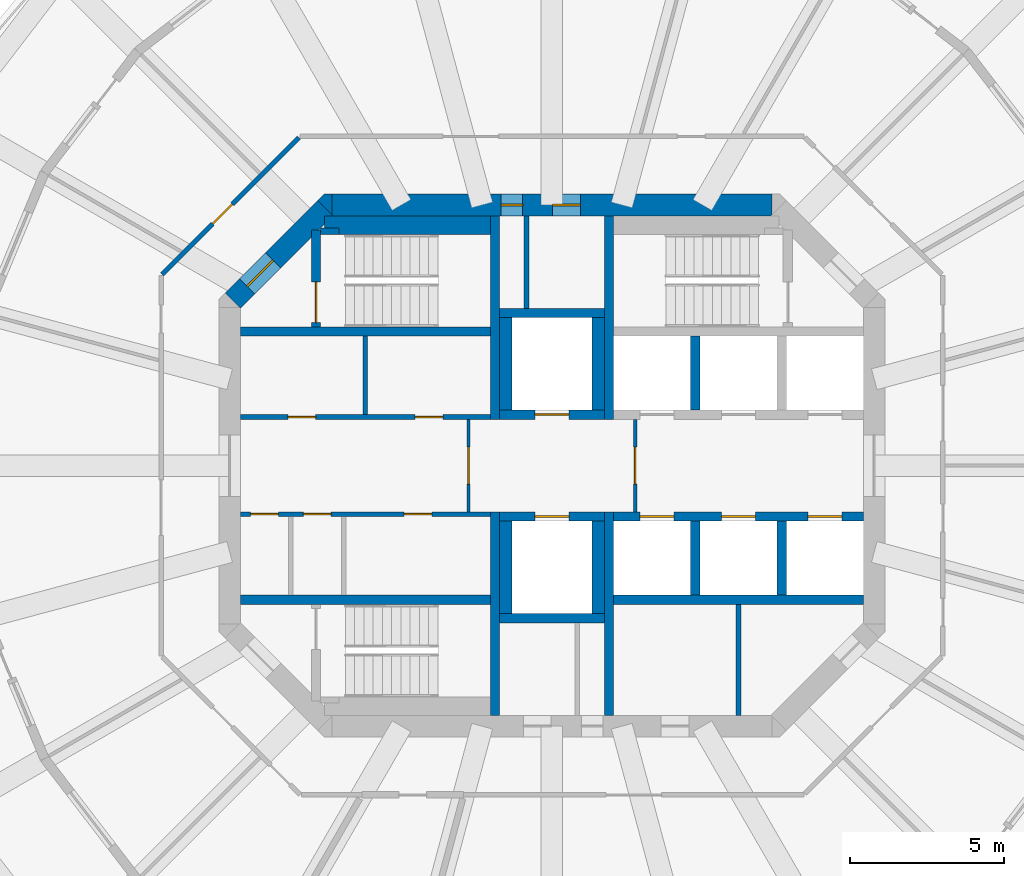
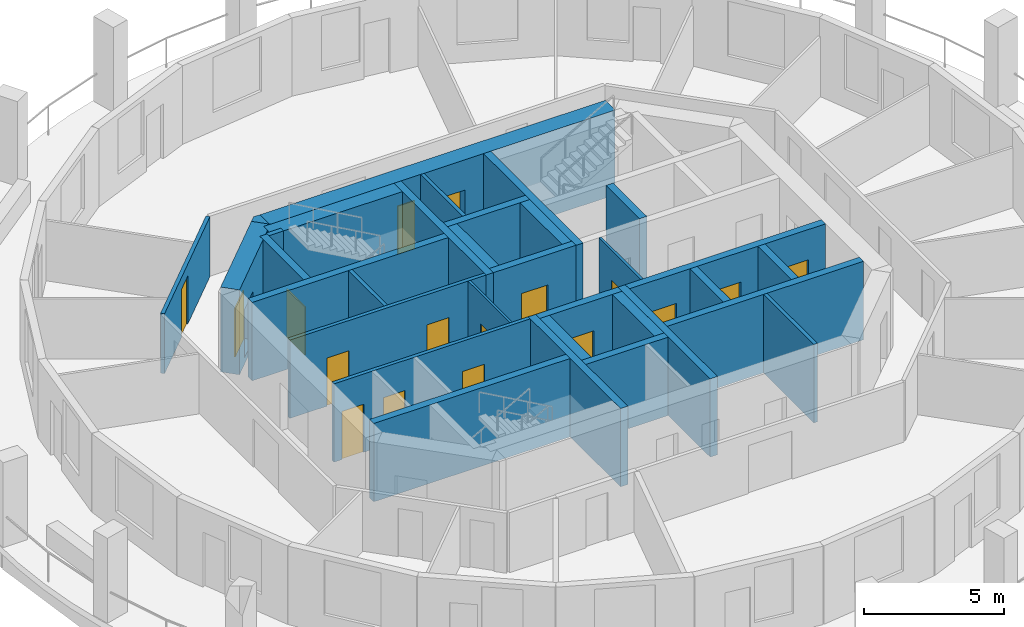
# One storey, part 4 of 9: 33 walls, 17 doors, 17 openings.
"""IFC4 building model written with IfcOpenShell, lengths in metres."""

from ifc_helpers import new_model, si_unit, direction, frame, frame_2d, origin, place, context, subcontext, project, spatial, polyline, rectangle, outline, extrude, material, layer, layer_set, type_object, element, fill, save


model = new_model("IFC4")

# Units and contexts
model_context = context("Model", 3, precision=1e-05, world=origin(), true_north=direction((0.0, 1.0)))
body_context = subcontext(model_context, "Body", "Model", "MODEL_VIEW")
ifc_project = project(units=[si_unit("LENGTHUNIT", "METRE"), si_unit("AREAUNIT", "SQUARE_METRE"), si_unit("VOLUMEUNIT", "CUBIC_METRE"), si_unit("PLANEANGLEUNIT", "RADIAN"), si_unit("MASSUNIT", "GRAM", prefix="KILO")], contexts=[model_context])

# Site, building, storey
site_placement = place(None, origin())
site = spatial("IfcSite", under=ifc_project, at=site_placement, CompositionType="ELEMENT")
building_placement = place(site_placement, origin())
building = spatial("IfcBuilding", under=site, at=building_placement, Name="Torre Triforio", CompositionType="ELEMENT")
storey_placement = place(building_placement, frame((0.0, 0.0, 161.60009765625)))
storey = spatial("IfcBuildingStorey", under=building, at=storey_placement, Name="L36", CompositionType="ELEMENT", Elevation=161.60009765625)

# Walls
ifc_material_1 = material(Name="Concrete C50", Category="concrete")
ifc_layer_1 = layer(ifc_material_1, 0.300048828125)
ifc_layer_set_1 = layer_set([ifc_layer_1], Name="Concrete C50")
wall_type_1 = type_object("IfcWallType", Name="Core wall 300 mm C50 EI 120", PredefinedType="SHEAR", material=ifc_layer_set_1)
for number, where, z_axis, x_axis, name in (
    (1, (-1.85009765625, 1.5, 0.0), (0.0, 0.0, 1.0), (0.0, 1.0, 0.0), "Core wall"),
    (2, (-1.85009765625, -8.10009765625, 0.0), (0.0, 0.0, 1.0), (0.0, 1.0, 0.0), "Core wall"),
    (3, (1.85009765625, 1.5, 0.0), (0.0, 0.0, 1.0), (0.0, 1.0, 0.0), "Core wall"),
    (4, (1.85009765625, -8.10009765625, 0.0), (0.0, 0.0, 1.0), (0.0, 1.0, 0.0), "Core wall"),
):
    element("IfcWall", number, at=place(storey_placement, frame(where, z_axis=z_axis, x_axis=x_axis)), inside=storey, type_object=wall_type_1, Name=name, PredefinedType="SHEAR", context=body_context, shape_type="SweptSolid", body=[
        extrude(rectangle(XDim=6.60009765625, YDim=0.300048828125, at=frame_2d((3.300048828125, 0.0))), origin(), (0.0, 0.0, 1.0), 3.419921875),
    ])

# Wall, openings, doors
ifc_layer_2 = layer(ifc_material_1, 0.699951171875)
ifc_layer_set_2 = layer_set([ifc_layer_2], Name="Concrete C50")
wall_type_2 = type_object("IfcWallType", Name="Core wall 700 mm C50 EI 120", PredefinedType="SHEAR", material=ifc_layer_set_2)
wall_1_placement = place(storey_placement, frame((-7.1298828125, 8.449951171875, -0.280029296875), z_axis=(0.0, 0.0, 1.0), x_axis=(1.0, 0.0, 0.0)))
wall_1 = element("IfcWall", 5, at=wall_1_placement, inside=storey, type_object=wall_type_2, Name="Core wall", PredefinedType="SHEAR", context=body_context, shape_type="SweptSolid", body=[
    extrude(rectangle(XDim=14.259765625, YDim=0.699951171875, at=frame_2d((7.1298828125, 0.0))), origin(), (0.0, 0.0, 1.0), 3.699951171875),
])
opening_1_placement = place(wall_1_placement, frame((5.47998046875, 0.0, 0.280029296875)))
opening_1 = element("IfcOpeningElement", 6, at=opening_1_placement, cuts=wall_1, Name="Opening RISER-N", PredefinedType="OPENING", context=body_context, shape_type="SweptSolid", body=[
    extrude(rectangle(XDim=0.699951171875, YDim=2.10009765625, at=frame_2d((0.35009765625, 1.050048828125))), frame((0.0, 0.35986328125, 0.0), z_axis=(0.0, -1.0, 0.0), x_axis=(1.0, 0.0, 0.0)), (0.0, 0.0, 1.0), 0.719970703125),
])
opening_2_placement = place(wall_1_placement, frame((7.155029296875, 0.0, 0.280029296875)))
opening_2 = element("IfcOpeningElement", 7, at=opening_2_placement, cuts=wall_1, Name="Opening NE-01", PredefinedType="OPENING", context=body_context, shape_type="SweptSolid", body=[
    extrude(rectangle(XDim=0.89990234375, YDim=2.10009765625, at=frame_2d((0.449951171875, 1.050048828125))), frame((0.0, 0.35986328125, 0.0), z_axis=(0.0, -1.0, 0.0), x_axis=(1.0, 0.0, 0.0)), (0.0, 0.0, 1.0), 0.719970703125),
])
ifc_material_2 = material(Name="Hollow metal fire door leaf")
door_type_1 = type_object("IfcDoorType", Name="Riser door 700 x 2100 EI 60", OperationType="NOTDEFINED", PredefinedType="DOOR", material=ifc_material_2)
door_1_placement = place(opening_1_placement, origin())
door_1 = element("IfcDoor", 8, at=door_1_placement, inside=storey, type_object=door_type_1, Name="Core door RISER-N", OperationType="SINGLE_SWING_LEFT", OverallHeight=2.10009765625, OverallWidth=0.699951171875, PredefinedType="DOOR", context=body_context, shape_type="SweptSolid", body=[
    extrude(rectangle(XDim=0.699951171875, YDim=2.10009765625, at=frame_2d((0.35009765625, 1.050048828125))), frame((0.0, 0.02490234375, 0.0), z_axis=(0.0, -1.0, 0.0), x_axis=(1.0, 0.0, 0.0)), (0.0, 0.0, 1.0), 0.050048828125),
])
fill(opening_1, door_1)
door_type_2 = type_object("IfcDoorType", Name="Room door 900 x 2100 EI 60", OperationType="NOTDEFINED", PredefinedType="DOOR", material=ifc_material_2)
door_2_placement = place(opening_2_placement, origin())
door_2 = element("IfcDoor", 9, at=door_2_placement, inside=storey, type_object=door_type_2, Name="Core door NE-01", OperationType="SINGLE_SWING_RIGHT", OverallHeight=2.10009765625, OverallWidth=0.89990234375, PredefinedType="DOOR", context=body_context, shape_type="SweptSolid", body=[
    extrude(rectangle(XDim=0.89990234375, YDim=2.10009765625, at=frame_2d((0.449951171875, 1.050048828125))), frame((0.0, 0.02490234375, 0.0), z_axis=(0.0, -1.0, 0.0), x_axis=(1.0, 0.0, 0.0)), (0.0, 0.0, 1.0), 0.050048828125),
])
fill(opening_2, door_2)

# Wall, opening, door
wall_2_placement = place(storey_placement, frame((-10.347412109375, 5.347412109375, -0.280029296875), z_axis=(0.0, 0.0, 1.0), x_axis=(0.707106781187, 0.707106781187, 0.0)))
wall_2 = element("IfcWall", 10, at=wall_2_placement, inside=storey, type_object=wall_type_2, Name="Core wall", PredefinedType="SHEAR", context=body_context, shape_type="SweptSolid", body=[
    extrude(rectangle(XDim=4.24267578125, YDim=0.699951171875, at=frame_2d((2.121337890625, 0.0))), origin(), (0.0, 0.0, 1.0), 3.699951171875),
])
opening_3_placement = place(wall_2_placement, frame((0.64990234375, 0.0, 0.280029296875)))
opening_3 = element("IfcOpeningElement", 11, at=opening_3_placement, cuts=wall_2, Name="Opening ST1-EXIT", PredefinedType="OPENING", context=body_context, shape_type="SweptSolid", body=[
    extrude(rectangle(XDim=1.199951171875, YDim=2.10009765625, at=frame_2d((0.60009765625, 1.050048828125))), frame((0.0, 0.35986328125, 0.0), z_axis=(0.0, -1.0, 0.0), x_axis=(1.0, 0.0, 0.0)), (0.0, 0.0, 1.0), 0.719970703125),
])
door_type_3 = type_object("IfcDoorType", Name="Stair lobby door 1200 x 2100 EI 60", OperationType="NOTDEFINED", PredefinedType="DOOR", material=ifc_material_2)
door_3_placement = place(opening_3_placement, origin())
door_3 = element("IfcDoor", 12, at=door_3_placement, inside=storey, type_object=door_type_3, Name="Core door ST1-EXIT", OperationType="SINGLE_SWING_RIGHT", OverallHeight=2.10009765625, OverallWidth=1.199951171875, PredefinedType="DOOR", context=body_context, shape_type="SweptSolid", body=[
    extrude(rectangle(XDim=1.199951171875, YDim=2.10009765625, at=frame_2d((0.60009765625, 1.050048828125))), frame((0.0, 0.02490234375, 0.0), z_axis=(0.0, -1.0, 0.0), x_axis=(1.0, 0.0, 0.0)), (0.0, 0.0, 1.0), 0.050048828125),
])
fill(opening_3, door_3)

# Wall
wall_3_placement = place(storey_placement, frame((0.0, 0.0, -0.280029296875)))
element("IfcWall", 13, at=wall_3_placement, inside=storey, type_object=wall_type_2, Name="Core wall", PredefinedType="SHEAR", context=body_context, shape_type="SweptSolid", body=[
    extrude(outline(polyline([(-7.389892578125, 8.800048828125), (-7.1298828125, 8.800048828125), (-7.1298828125, 8.800048828125), (-7.1298828125, 8.1298828125), (-7.594970703125, 8.594970703125), (-7.594970703125, 8.594970703125), (-7.594970703125, 8.594970703125), (-7.389892578125, 8.800048828125)])), origin(), (0.0, 0.0, 1.0), 3.699951171875),
])

# Wall, opening, door
ifc_material_3 = material(Name="Plasterboard on metal studs")
ifc_layer_3 = layer(ifc_material_3, 0.14990234375)
ifc_layer_set_3 = layer_set([ifc_layer_3], Name="Plasterboard on metal studs")
wall_type_3 = type_object("IfcWallType", Name="Corridor and tenancy wall 150 mm EI 60", PredefinedType="PARTITIONING", material=ifc_layer_set_3)
wall_4_placement = place(storey_placement, frame((-12.637939453125, 6.20361328125, 0.0), z_axis=(0.0, 0.0, 1.0), x_axis=(0.707106781187, 0.707106781187, 0.0)))
wall_4 = element("IfcWall", 14, at=wall_4_placement, inside=storey, type_object=wall_type_3, Name="Partition 7", PredefinedType="PARTITIONING", context=body_context, shape_type="SweptSolid", body=[
    extrude(rectangle(XDim=6.27099609375, YDim=0.14990234375, at=frame_2d((3.135498046875, 0.0))), origin(), (0.0, 0.0, 1.0), 2.619873046875),
])
opening_4_placement = place(wall_4_placement, frame((2.313720703125, 0.0, 0.0)))
opening_4 = element("IfcOpeningElement", 15, at=opening_4_placement, cuts=wall_4, Name="Opening O1-07", PredefinedType="OPENING", context=body_context, shape_type="SweptSolid", body=[
    extrude(rectangle(XDim=0.89990234375, YDim=2.10009765625, at=frame_2d((0.449951171875, 1.050048828125))), frame((0.0, 0.0849609375, 0.0), z_axis=(0.0, -1.0, 0.0), x_axis=(1.0, 0.0, 0.0)), (0.0, 0.0, 1.0), 0.169921875),
])
ifc_material_4 = material(Name="Timber", Category="wood")
door_type_4 = type_object("IfcDoorType", Name="Door 900 x 2100 single leaf EI 30", OperationType="NOTDEFINED", PredefinedType="DOOR", material=ifc_material_4)
door_4_placement = place(opening_4_placement, origin())
door_4 = element("IfcDoor", 16, at=door_4_placement, inside=storey, type_object=door_type_4, Name="Door O1-07", OperationType="SINGLE_SWING_LEFT", OverallHeight=2.10009765625, OverallWidth=0.89990234375, PredefinedType="DOOR", context=body_context, shape_type="SweptSolid", body=[
    extrude(rectangle(XDim=0.89990234375, YDim=2.10009765625, at=frame_2d((0.449951171875, 1.050048828125))), frame((0.0, 0.02490234375, 0.0), z_axis=(0.0, -1.0, 0.0), x_axis=(1.0, 0.0, 0.0)), (0.0, 0.0, 1.0), 0.050048828125),
])
fill(opening_4, door_4)

ifc_material_5 = material(Name="Block and board partition")
ifc_layer_4 = layer(ifc_material_5, 0.10009765625)
ifc_layer_set_4 = layer_set([ifc_layer_4], Name="Block and board partition")
wall_type_4 = type_object("IfcWallType", Name="Partition 100 mm EI 120", PredefinedType="PARTITIONING", material=ifc_layer_set_4)
wall_5_placement = place(storey_placement, frame((-2.699951171875, -1.5, 0.0), z_axis=(0.0, 0.0, 1.0), x_axis=(0.0, 1.0, 0.0)))
wall_5 = element("IfcWall", 17, at=wall_5_placement, inside=storey, type_object=wall_type_4, Name="Partition", PredefinedType="PARTITIONING", context=body_context, shape_type="SweptSolid", body=[
    extrude(rectangle(XDim=3.0, YDim=0.10009765625, at=frame_2d((1.5, 0.0))), origin(), (0.0, 0.0, 1.0), 3.419921875),
])
opening_5_placement = place(wall_5_placement, frame((0.89990234375, 0.0, 0.0)))
opening_5 = element("IfcOpeningElement", 18, at=opening_5_placement, cuts=wall_5, Name="Opening FF-W", PredefinedType="OPENING", context=body_context, shape_type="SweptSolid", body=[
    extrude(rectangle(XDim=1.199951171875, YDim=2.10009765625, at=frame_2d((0.60009765625, 1.050048828125))), frame((0.0, 0.06005859375, 0.0), z_axis=(0.0, -1.0, 0.0), x_axis=(1.0, 0.0, 0.0)), (0.0, 0.0, 1.0), 0.1201171875),
])
door_type_5 = type_object("IfcDoorType", Name="Fire-fighting lobby door 1200 x 2100 EI 60", OperationType="NOTDEFINED", PredefinedType="DOOR", material=ifc_material_2)
door_5_placement = place(opening_5_placement, origin())
door_5 = element("IfcDoor", 19, at=door_5_placement, inside=storey, type_object=door_type_5, Name="Core door FF-W", OperationType="SINGLE_SWING_LEFT", OverallHeight=2.10009765625, OverallWidth=1.199951171875, PredefinedType="DOOR", context=body_context, shape_type="SweptSolid", body=[
    extrude(rectangle(XDim=1.199951171875, YDim=2.10009765625, at=frame_2d((0.60009765625, 1.050048828125))), frame((0.0, 0.02490234375, 0.0), z_axis=(0.0, -1.0, 0.0), x_axis=(1.0, 0.0, 0.0)), (0.0, 0.0, 1.0), 0.050048828125),
])
fill(opening_5, door_5)

wall_6_placement = place(storey_placement, frame((2.699951171875, -1.5, 0.0), z_axis=(0.0, 0.0, 1.0), x_axis=(0.0, 1.0, 0.0)))
wall_6 = element("IfcWall", 20, at=wall_6_placement, inside=storey, type_object=wall_type_4, Name="Partition", PredefinedType="PARTITIONING", context=body_context, shape_type="SweptSolid", body=[
    extrude(rectangle(XDim=3.0, YDim=0.10009765625, at=frame_2d((1.5, 0.0))), origin(), (0.0, 0.0, 1.0), 3.419921875),
])
opening_6_placement = place(wall_6_placement, frame((0.89990234375, 0.0, 0.0)))
opening_6 = element("IfcOpeningElement", 21, at=opening_6_placement, cuts=wall_6, Name="Opening FF-E", PredefinedType="OPENING", context=body_context, shape_type="SweptSolid", body=[
    extrude(rectangle(XDim=1.199951171875, YDim=2.10009765625, at=frame_2d((0.60009765625, 1.050048828125))), frame((0.0, 0.06005859375, 0.0), z_axis=(0.0, -1.0, 0.0), x_axis=(1.0, 0.0, 0.0)), (0.0, 0.0, 1.0), 0.1201171875),
])
door_6_placement = place(opening_6_placement, origin())
door_6 = element("IfcDoor", 22, at=door_6_placement, inside=storey, type_object=door_type_5, Name="Core door FF-E", OperationType="SINGLE_SWING_LEFT", OverallHeight=2.10009765625, OverallWidth=1.199951171875, PredefinedType="DOOR", context=body_context, shape_type="SweptSolid", body=[
    extrude(rectangle(XDim=1.199951171875, YDim=2.10009765625, at=frame_2d((0.60009765625, 1.050048828125))), frame((0.0, 0.02490234375, 0.0), z_axis=(0.0, -1.0, 0.0), x_axis=(1.0, 0.0, 0.0)), (0.0, 0.0, 1.0), 0.050048828125),
])
fill(opening_6, door_6)

# Walls
ifc_layer_5 = layer(ifc_material_5, 0.14990234375)
ifc_layer_set_5 = layer_set([ifc_layer_5], Name="Block and board partition")
wall_type_5 = type_object("IfcWallType", Name="Partition 150 mm", PredefinedType="PARTITIONING", material=ifc_layer_set_5)
wall_7_placement = place(storey_placement, frame((6.050048828125, -8.10009765625, 0.0), z_axis=(0.0, 0.0, 1.0), x_axis=(0.0, 1.0, 0.0)))
element("IfcWall", 23, at=wall_7_placement, inside=storey, type_object=wall_type_5, Name="Partition", PredefinedType="PARTITIONING", context=body_context, shape_type="SweptSolid", body=[
    extrude(rectangle(XDim=3.60009765625, YDim=0.14990234375, at=frame_2d((1.800048828125, 0.0))), origin(), (0.0, 0.0, 1.0), 3.419921875),
])
wall_8_placement = place(storey_placement, frame((-6.050048828125, 1.64990234375, 0.0), z_axis=(0.0, 0.0, 1.0), x_axis=(0.0, 1.0, 0.0)))
element("IfcWall", 24, at=wall_8_placement, inside=storey, type_object=wall_type_5, Name="Partition", PredefinedType="PARTITIONING", context=body_context, shape_type="SweptSolid", body=[
    extrude(rectangle(XDim=2.550048828125, YDim=0.14990234375, at=frame_2d((1.27490234375, 0.0))), origin(), (0.0, 0.0, 1.0), 3.419921875),
])
ifc_layer_6 = layer(ifc_material_5, 0.14990234375)
ifc_layer_set_6 = layer_set([ifc_layer_6], Name="Block and board partition")
wall_type_6 = type_object("IfcWallType", Name="Partition 150 mm EI 120", PredefinedType="PARTITIONING", material=ifc_layer_set_6)
wall_9_placement = place(storey_placement, frame((-0.824951171875, 5.10009765625, 0.0), z_axis=(0.0, 0.0, 1.0), x_axis=(0.0, 1.0, 0.0)))
element("IfcWall", 25, at=wall_9_placement, inside=storey, type_object=wall_type_6, Name="Partition", PredefinedType="PARTITIONING", context=body_context, shape_type="SweptSolid", body=[
    extrude(rectangle(XDim=3.0, YDim=0.14990234375, at=frame_2d((1.5, 0.0))), origin(), (0.0, 0.0, 1.0), 3.419921875),
])

# Wall, openings, doors
wall_10_placement = place(storey_placement, frame((-10.10009765625, 1.574951171875, 0.0), z_axis=(0.0, 0.0, 1.0), x_axis=(1.0, 0.0, 0.0)))
wall_10 = element("IfcWall", 26, at=wall_10_placement, inside=storey, type_object=wall_type_6, Name="Partition", PredefinedType="PARTITIONING", context=body_context, shape_type="SweptSolid", body=[
    extrude(rectangle(XDim=8.10009765625, YDim=0.14990234375, at=frame_2d((4.050048828125, 0.0))), origin(), (0.0, 0.0, 1.0), 3.419921875),
])
opening_7_placement = place(wall_10_placement, frame((1.53759765625, 0.0, 0.0)))
opening_7 = element("IfcOpeningElement", 27, at=opening_7_placement, cuts=wall_10, Name="Opening FN-01", PredefinedType="OPENING", context=body_context, shape_type="SweptSolid", body=[
    extrude(rectangle(XDim=0.89990234375, YDim=2.10009765625, at=frame_2d((0.449951171875, 1.050048828125))), frame((0.0, 0.0849609375, 0.0), z_axis=(0.0, -1.0, 0.0), x_axis=(1.0, 0.0, 0.0)), (0.0, 0.0, 1.0), 0.169921875),
])
opening_8_placement = place(wall_10_placement, frame((5.66259765625, 0.0, 0.0)))
opening_8 = element("IfcOpeningElement", 28, at=opening_8_placement, cuts=wall_10, Name="Opening FN-02", PredefinedType="OPENING", context=body_context, shape_type="SweptSolid", body=[
    extrude(rectangle(XDim=0.89990234375, YDim=2.10009765625, at=frame_2d((0.449951171875, 1.050048828125))), frame((0.0, 0.0849609375, 0.0), z_axis=(0.0, -1.0, 0.0), x_axis=(1.0, 0.0, 0.0)), (0.0, 0.0, 1.0), 0.169921875),
])
door_7_placement = place(opening_7_placement, origin())
door_7 = element("IfcDoor", 29, at=door_7_placement, inside=storey, type_object=door_type_2, Name="Core door FN-01", OperationType="SINGLE_SWING_RIGHT", OverallHeight=2.10009765625, OverallWidth=0.89990234375, PredefinedType="DOOR", context=body_context, shape_type="SweptSolid", body=[
    extrude(rectangle(XDim=0.89990234375, YDim=2.10009765625, at=frame_2d((0.449951171875, 1.050048828125))), frame((0.0, 0.02490234375, 0.0), z_axis=(0.0, -1.0, 0.0), x_axis=(1.0, 0.0, 0.0)), (0.0, 0.0, 1.0), 0.050048828125),
])
fill(opening_7, door_7)
door_8_placement = place(opening_8_placement, origin())
door_8 = element("IfcDoor", 30, at=door_8_placement, inside=storey, type_object=door_type_2, Name="Core door FN-02", OperationType="SINGLE_SWING_RIGHT", OverallHeight=2.10009765625, OverallWidth=0.89990234375, PredefinedType="DOOR", context=body_context, shape_type="SweptSolid", body=[
    extrude(rectangle(XDim=0.89990234375, YDim=2.10009765625, at=frame_2d((0.449951171875, 1.050048828125))), frame((0.0, 0.02490234375, 0.0), z_axis=(0.0, -1.0, 0.0), x_axis=(1.0, 0.0, 0.0)), (0.0, 0.0, 1.0), 0.050048828125),
])
fill(opening_8, door_8)

wall_11_placement = place(storey_placement, frame((-10.10009765625, -1.574951171875, 0.0), z_axis=(0.0, 0.0, 1.0), x_axis=(1.0, 0.0, 0.0)))
wall_11 = element("IfcWall", 31, at=wall_11_placement, inside=storey, type_object=wall_type_6, Name="Partition", PredefinedType="PARTITIONING", context=body_context, shape_type="SweptSolid", body=[
    extrude(rectangle(XDim=8.10009765625, YDim=0.14990234375, at=frame_2d((4.050048828125, 0.0))), origin(), (0.0, 0.0, 1.0), 3.419921875),
])
opening_9_placement = place(wall_11_placement, frame((0.330078125, 0.0, 0.0)))
opening_9 = element("IfcOpeningElement", 32, at=opening_9_placement, cuts=wall_11, Name="Opening FS-01", PredefinedType="OPENING", context=body_context, shape_type="SweptSolid", body=[
    extrude(rectangle(XDim=0.89990234375, YDim=2.10009765625, at=frame_2d((0.449951171875, 1.050048828125))), frame((0.0, 0.0849609375, 0.0), z_axis=(0.0, -1.0, 0.0), x_axis=(1.0, 0.0, 0.0)), (0.0, 0.0, 1.0), 0.169921875),
])
opening_10_placement = place(wall_11_placement, frame((2.0400390625, 0.0, 0.0)))
opening_10 = element("IfcOpeningElement", 33, at=opening_10_placement, cuts=wall_11, Name="Opening FS-02", PredefinedType="OPENING", context=body_context, shape_type="SweptSolid", body=[
    extrude(rectangle(XDim=0.89990234375, YDim=2.10009765625, at=frame_2d((0.449951171875, 1.050048828125))), frame((0.0, 0.0849609375, 0.0), z_axis=(0.0, -1.0, 0.0), x_axis=(1.0, 0.0, 0.0)), (0.0, 0.0, 1.0), 0.169921875),
])
opening_11_placement = place(wall_11_placement, frame((5.31005859375, 0.0, 0.0)))
opening_11 = element("IfcOpeningElement", 34, at=opening_11_placement, cuts=wall_11, Name="Opening FS-03", PredefinedType="OPENING", context=body_context, shape_type="SweptSolid", body=[
    extrude(rectangle(XDim=0.89990234375, YDim=2.10009765625, at=frame_2d((0.449951171875, 1.050048828125))), frame((0.0, 0.0849609375, 0.0), z_axis=(0.0, -1.0, 0.0), x_axis=(1.0, 0.0, 0.0)), (0.0, 0.0, 1.0), 0.169921875),
])
door_9_placement = place(opening_9_placement, origin())
door_9 = element("IfcDoor", 35, at=door_9_placement, inside=storey, type_object=door_type_2, Name="Core door FS-01", OperationType="SINGLE_SWING_LEFT", OverallHeight=2.10009765625, OverallWidth=0.89990234375, PredefinedType="DOOR", context=body_context, shape_type="SweptSolid", body=[
    extrude(rectangle(XDim=0.89990234375, YDim=2.10009765625, at=frame_2d((0.449951171875, 1.050048828125))), frame((0.0, 0.02490234375, 0.0), z_axis=(0.0, -1.0, 0.0), x_axis=(1.0, 0.0, 0.0)), (0.0, 0.0, 1.0), 0.050048828125),
])
fill(opening_9, door_9)
door_10_placement = place(opening_10_placement, origin())
door_10 = element("IfcDoor", 36, at=door_10_placement, inside=storey, type_object=door_type_2, Name="Core door FS-02", OperationType="SINGLE_SWING_LEFT", OverallHeight=2.10009765625, OverallWidth=0.89990234375, PredefinedType="DOOR", context=body_context, shape_type="SweptSolid", body=[
    extrude(rectangle(XDim=0.89990234375, YDim=2.10009765625, at=frame_2d((0.449951171875, 1.050048828125))), frame((0.0, 0.02490234375, 0.0), z_axis=(0.0, -1.0, 0.0), x_axis=(1.0, 0.0, 0.0)), (0.0, 0.0, 1.0), 0.050048828125),
])
fill(opening_10, door_10)
door_11_placement = place(opening_11_placement, origin())
door_11 = element("IfcDoor", 37, at=door_11_placement, inside=storey, type_object=door_type_2, Name="Core door FS-03", OperationType="SINGLE_SWING_LEFT", OverallHeight=2.10009765625, OverallWidth=0.89990234375, PredefinedType="DOOR", context=body_context, shape_type="SweptSolid", body=[
    extrude(rectangle(XDim=0.89990234375, YDim=2.10009765625, at=frame_2d((0.449951171875, 1.050048828125))), frame((0.0, 0.02490234375, 0.0), z_axis=(0.0, -1.0, 0.0), x_axis=(1.0, 0.0, 0.0)), (0.0, 0.0, 1.0), 0.050048828125),
])
fill(opening_11, door_11)

# Walls
ifc_layer_7 = layer(ifc_material_1, 0.300048828125)
ifc_layer_set_7 = layer_set([ifc_layer_7], Name="Concrete C50")
wall_type_7 = type_object("IfcWallType", Name="Shaft wall 300 mm C50 EI 120", PredefinedType="SOLIDWALL", material=ifc_layer_set_7)
for number, where, z_axis, x_axis, name in (
    (38, (-10.10009765625, 4.35009765625, 0.0), (0.0, 0.0, 1.0), (1.0, 0.0, 0.0), "Shaft wall"),
    (39, (-10.10009765625, -4.35009765625, 0.0), (0.0, 0.0, 1.0), (1.0, 0.0, 0.0), "Shaft wall"),
    (40, (2.0, -4.35009765625, 0.0), (0.0, 0.0, 1.0), (1.0, 0.0, 0.0), "Shaft wall"),
):
    element("IfcWall", number, at=place(storey_placement, frame(where, z_axis=z_axis, x_axis=x_axis)), inside=storey, type_object=wall_type_7, Name=name, PredefinedType="SOLIDWALL", context=body_context, shape_type="SweptSolid", body=[
        extrude(rectangle(XDim=8.10009765625, YDim=0.300048828125, at=frame_2d((4.050048828125, 0.0))), origin(), (0.0, 0.0, 1.0), 3.419921875),
    ])

# Wall, openings, doors
wall_12_placement = place(storey_placement, frame((2.0, -1.64990234375, 0.0), z_axis=(0.0, 0.0, 1.0), x_axis=(1.0, 0.0, 0.0)))
wall_12 = element("IfcWall", 41, at=wall_12_placement, inside=storey, type_object=wall_type_7, Name="Shaft wall", PredefinedType="SOLIDWALL", context=body_context, shape_type="SweptSolid", body=[
    extrude(rectangle(XDim=8.10009765625, YDim=0.300048828125, at=frame_2d((4.050048828125, 0.0))), origin(), (0.0, 0.0, 1.0), 3.419921875),
])
opening_12_placement = place(wall_12_placement, frame((0.85009765625, 0.0, 0.0)))
opening_12 = element("IfcOpeningElement", 42, at=opening_12_placement, cuts=wall_12, Name="Opening LD", PredefinedType="OPENING", context=body_context, shape_type="SweptSolid", body=[
    extrude(rectangle(XDim=1.10009765625, YDim=2.10009765625, at=frame_2d((0.550048828125, 1.050048828125))), frame((0.0, 0.159912109375, 0.0), z_axis=(0.0, -1.0, 0.0), x_axis=(1.0, 0.0, 0.0)), (0.0, 0.0, 1.0), 0.320068359375),
])
opening_13_placement = place(wall_12_placement, frame((3.5, 0.0, 0.0)))
opening_13 = element("IfcOpeningElement", 43, at=opening_13_placement, cuts=wall_12, Name="Opening LD", PredefinedType="OPENING", context=body_context, shape_type="SweptSolid", body=[
    extrude(rectangle(XDim=1.10009765625, YDim=2.10009765625, at=frame_2d((0.550048828125, 1.050048828125))), frame((0.0, 0.159912109375, 0.0), z_axis=(0.0, -1.0, 0.0), x_axis=(1.0, 0.0, 0.0)), (0.0, 0.0, 1.0), 0.320068359375),
])
opening_14_placement = place(wall_12_placement, frame((6.300048828125, 0.0, 0.0)))
opening_14 = element("IfcOpeningElement", 44, at=opening_14_placement, cuts=wall_12, Name="Opening LD", PredefinedType="OPENING", context=body_context, shape_type="SweptSolid", body=[
    extrude(rectangle(XDim=1.10009765625, YDim=2.10009765625, at=frame_2d((0.550048828125, 1.050048828125))), frame((0.0, 0.159912109375, 0.0), z_axis=(0.0, -1.0, 0.0), x_axis=(1.0, 0.0, 0.0)), (0.0, 0.0, 1.0), 0.320068359375),
])
door_type_6 = type_object("IfcDoorType", Name="Landing door 1100 x 2100 EI 60", OperationType="DOUBLE_DOOR_SLIDING", PredefinedType="DOOR", material=ifc_material_2)
door_12_placement = place(opening_12_placement, origin())
door_12 = element("IfcDoor", 45, at=door_12_placement, inside=storey, type_object=door_type_6, Name="Landing door HR4", OperationType="DOUBLE_DOOR_SLIDING", OverallHeight=2.10009765625, OverallWidth=1.10009765625, PredefinedType="DOOR", context=body_context, shape_type="SweptSolid", body=[
    extrude(rectangle(XDim=1.10009765625, YDim=2.10009765625, at=frame_2d((0.550048828125, 1.050048828125))), frame((0.0, 0.02490234375, 0.0), z_axis=(0.0, -1.0, 0.0), x_axis=(1.0, 0.0, 0.0)), (0.0, 0.0, 1.0), 0.050048828125),
])
fill(opening_12, door_12)
door_13_placement = place(opening_13_placement, origin())
door_13 = element("IfcDoor", 46, at=door_13_placement, inside=storey, type_object=door_type_6, Name="Landing door HR5", OperationType="DOUBLE_DOOR_SLIDING", OverallHeight=2.10009765625, OverallWidth=1.10009765625, PredefinedType="DOOR", context=body_context, shape_type="SweptSolid", body=[
    extrude(rectangle(XDim=1.10009765625, YDim=2.10009765625, at=frame_2d((0.550048828125, 1.050048828125))), frame((0.0, 0.02490234375, 0.0), z_axis=(0.0, -1.0, 0.0), x_axis=(1.0, 0.0, 0.0)), (0.0, 0.0, 1.0), 0.050048828125),
])
fill(opening_13, door_13)
door_14_placement = place(opening_14_placement, origin())
door_14 = element("IfcDoor", 47, at=door_14_placement, inside=storey, type_object=door_type_6, Name="Landing door HR6", OperationType="DOUBLE_DOOR_SLIDING", OverallHeight=2.10009765625, OverallWidth=1.10009765625, PredefinedType="DOOR", context=body_context, shape_type="SweptSolid", body=[
    extrude(rectangle(XDim=1.10009765625, YDim=2.10009765625, at=frame_2d((0.550048828125, 1.050048828125))), frame((0.0, 0.02490234375, 0.0), z_axis=(0.0, -1.0, 0.0), x_axis=(1.0, 0.0, 0.0)), (0.0, 0.0, 1.0), 0.050048828125),
])
fill(opening_14, door_14)

# Walls
for number, where, z_axis, x_axis, name in (
    (48, (4.64990234375, 1.800048828125, 0.0), (0.0, 0.0, 1.0), (0.0, 1.0, 0.0), "Shaft wall"),
    (49, (4.64990234375, -4.199951171875, 0.0), (0.0, 0.0, 1.0), (0.0, 1.0, 0.0), "Shaft wall"),
    (50, (7.449951171875, -4.199951171875, 0.0), (0.0, 0.0, 1.0), (0.0, 1.0, 0.0), "Shaft wall"),
):
    element("IfcWall", number, at=place(storey_placement, frame(where, z_axis=z_axis, x_axis=x_axis)), inside=storey, type_object=wall_type_7, Name=name, PredefinedType="SOLIDWALL", context=body_context, shape_type="SweptSolid", body=[
        extrude(rectangle(XDim=2.39990234375, YDim=0.300048828125, at=frame_2d((1.199951171875, 0.0))), origin(), (0.0, 0.0, 1.0), 3.419921875),
    ])

# Wall, opening, door
wall_13_placement = place(storey_placement, frame((-1.699951171875, 1.64990234375, 0.0), z_axis=(0.0, 0.0, 1.0), x_axis=(1.0, 0.0, 0.0)))
wall_13 = element("IfcWall", 51, at=wall_13_placement, inside=storey, type_object=wall_type_7, Name="Shaft wall", PredefinedType="SOLIDWALL", context=body_context, shape_type="SweptSolid", body=[
    extrude(rectangle(XDim=3.39990234375, YDim=0.300048828125, at=frame_2d((1.699951171875, 0.0))), origin(), (0.0, 0.0, 1.0), 3.419921875),
])
opening_15_placement = place(wall_13_placement, frame((1.14990234375, 0.0, 0.0)))
opening_15 = element("IfcOpeningElement", 52, at=opening_15_placement, cuts=wall_13, Name="Opening LD", PredefinedType="OPENING", context=body_context, shape_type="SweptSolid", body=[
    extrude(rectangle(XDim=1.10009765625, YDim=2.10009765625, at=frame_2d((0.550048828125, 1.050048828125))), frame((0.0, 0.159912109375, 0.0), z_axis=(0.0, -1.0, 0.0), x_axis=(1.0, 0.0, 0.0)), (0.0, 0.0, 1.0), 0.320068359375),
])
door_15_placement = place(opening_15_placement, origin())
door_15 = element("IfcDoor", 53, at=door_15_placement, inside=storey, type_object=door_type_6, Name="Landing door FFL1", OperationType="DOUBLE_DOOR_SLIDING", OverallHeight=2.10009765625, OverallWidth=1.10009765625, PredefinedType="DOOR", context=body_context, shape_type="SweptSolid", body=[
    extrude(rectangle(XDim=1.10009765625, YDim=2.10009765625, at=frame_2d((0.550048828125, 1.050048828125))), frame((0.0, 0.02490234375, 0.0), z_axis=(0.0, -1.0, 0.0), x_axis=(1.0, 0.0, 0.0)), (0.0, 0.0, 1.0), 0.050048828125),
])
fill(opening_15, door_15)

wall_14_placement = place(storey_placement, frame((-1.699951171875, -1.64990234375, 0.0), z_axis=(0.0, 0.0, 1.0), x_axis=(1.0, 0.0, 0.0)))
wall_14 = element("IfcWall", 54, at=wall_14_placement, inside=storey, type_object=wall_type_7, Name="Shaft wall", PredefinedType="SOLIDWALL", context=body_context, shape_type="SweptSolid", body=[
    extrude(rectangle(XDim=3.39990234375, YDim=0.300048828125, at=frame_2d((1.699951171875, 0.0))), origin(), (0.0, 0.0, 1.0), 3.419921875),
])
opening_16_placement = place(wall_14_placement, frame((1.14990234375, 0.0, 0.0)))
opening_16 = element("IfcOpeningElement", 55, at=opening_16_placement, cuts=wall_14, Name="Opening LD", PredefinedType="OPENING", context=body_context, shape_type="SweptSolid", body=[
    extrude(rectangle(XDim=1.10009765625, YDim=2.10009765625, at=frame_2d((0.550048828125, 1.050048828125))), frame((0.0, 0.159912109375, 0.0), z_axis=(0.0, -1.0, 0.0), x_axis=(1.0, 0.0, 0.0)), (0.0, 0.0, 1.0), 0.320068359375),
])
door_16_placement = place(opening_16_placement, origin())
door_16 = element("IfcDoor", 56, at=door_16_placement, inside=storey, type_object=door_type_6, Name="Landing door FFL2", OperationType="DOUBLE_DOOR_SLIDING", OverallHeight=2.10009765625, OverallWidth=1.10009765625, PredefinedType="DOOR", context=body_context, shape_type="SweptSolid", body=[
    extrude(rectangle(XDim=1.10009765625, YDim=2.10009765625, at=frame_2d((0.550048828125, 1.050048828125))), frame((0.0, 0.02490234375, 0.0), z_axis=(0.0, -1.0, 0.0), x_axis=(1.0, 0.0, 0.0)), (0.0, 0.0, 1.0), 0.050048828125),
])
fill(opening_16, door_16)

# Walls
for number, where, z_axis, x_axis, name in (
    (57, (-1.699951171875, 4.949951171875, 0.0), (0.0, 0.0, 1.0), (1.0, 0.0, 0.0), "Shaft wall"),
    (58, (-1.699951171875, -4.949951171875, 0.0), (0.0, 0.0, 1.0), (1.0, 0.0, 0.0), "Shaft wall"),
):
    element("IfcWall", number, at=place(storey_placement, frame(where, z_axis=z_axis, x_axis=x_axis)), inside=storey, type_object=wall_type_7, Name=name, PredefinedType="SOLIDWALL", context=body_context, shape_type="SweptSolid", body=[
        extrude(rectangle(XDim=3.39990234375, YDim=0.300048828125, at=frame_2d((1.699951171875, 0.0))), origin(), (0.0, 0.0, 1.0), 3.419921875),
    ])
ifc_layer_8 = layer(ifc_material_1, 0.39990234375)
ifc_layer_set_8 = layer_set([ifc_layer_8], Name="Concrete C50")
wall_type_8 = type_object("IfcWallType", Name="Shaft wall 400 mm C50 EI 120", PredefinedType="SOLIDWALL", material=ifc_layer_set_8)
for number, where, z_axis, x_axis, name in (
    (59, (-1.5, 1.800048828125, 0.0), (0.0, 0.0, 1.0), (0.0, 1.0, 0.0), "Shaft wall"),
    (60, (-1.5, -4.800048828125, 0.0), (0.0, 0.0, 1.0), (0.0, 1.0, 0.0), "Shaft wall"),
    (61, (1.5, 1.800048828125, 0.0), (0.0, 0.0, 1.0), (0.0, 1.0, 0.0), "Shaft wall"),
    (62, (1.5, -4.800048828125, 0.0), (0.0, 0.0, 1.0), (0.0, 1.0, 0.0), "Shaft wall"),
):
    element("IfcWall", number, at=place(storey_placement, frame(where, z_axis=z_axis, x_axis=x_axis)), inside=storey, type_object=wall_type_8, Name=name, PredefinedType="SOLIDWALL", context=body_context, shape_type="SweptSolid", body=[
        extrude(rectangle(XDim=3.0, YDim=0.39990234375, at=frame_2d((1.5, 0.0))), origin(), (0.0, 0.0, 1.0), 3.419921875),
    ])
ifc_layer_9 = layer(ifc_material_1, 0.199951171875)
ifc_layer_set_9 = layer_set([ifc_layer_9], Name="Concrete C50")
wall_type_9 = type_object("IfcWallType", Name="Stair wall 200 mm C50 EI 120", PredefinedType="SHEAR", material=ifc_layer_set_9)
wall_15_placement = place(storey_placement, frame((-7.5, 7.60009765625, 0.0), z_axis=(0.0, 0.0, 1.0), x_axis=(1.0, 0.0, 0.0)))
element("IfcWall", 63, at=wall_15_placement, inside=storey, type_object=wall_type_9, Name="Stair wall", PredefinedType="SHEAR", context=body_context, shape_type="SweptSolid", body=[
    extrude(rectangle(XDim=0.60009765625, YDim=0.199951171875, at=frame_2d((0.300048828125, 0.0))), origin(), (0.0, 0.0, 1.0), 3.419921875),
])

# Wall, opening, door
ifc_layer_10 = layer(ifc_material_1, 0.300048828125)
ifc_layer_set_10 = layer_set([ifc_layer_10], Name="Concrete C50")
wall_type_10 = type_object("IfcWallType", Name="Stair wall 300 mm C50 EI 120", PredefinedType="SHEAR", material=ifc_layer_set_10)
wall_16_placement = place(storey_placement, frame((-7.64990234375, 4.5, 0.0), z_axis=(0.0, 0.0, 1.0), x_axis=(0.0, 1.0, 0.0)))
wall_16 = element("IfcWall", 64, at=wall_16_placement, inside=storey, type_object=wall_type_10, Name="Stair wall", PredefinedType="SHEAR", context=body_context, shape_type="SweptSolid", body=[
    extrude(rectangle(XDim=3.139892578125, YDim=0.300048828125, at=frame_2d((1.56982421875, 0.0))), origin(), (0.0, 0.0, 1.0), 3.419921875),
])
opening_17_placement = place(wall_16_placement, frame((0.139892578125, 0.0, 0.0)))
opening_17 = element("IfcOpeningElement", 65, at=opening_17_placement, cuts=wall_16, Name="Opening ST1-STA", PredefinedType="OPENING", context=body_context, shape_type="SweptSolid", body=[
    extrude(rectangle(XDim=1.320068359375, YDim=2.10009765625, at=frame_2d((0.66015625, 1.050048828125))), frame((0.0, 0.159912109375, 0.0), z_axis=(0.0, -1.0, 0.0), x_axis=(1.0, 0.0, 0.0)), (0.0, 0.0, 1.0), 0.320068359375),
])
door_type_7 = type_object("IfcDoorType", Name="Stair door 1320 x 2100 EI 90", OperationType="DOUBLE_DOOR_SINGLE_SWING", PredefinedType="DOOR", material=ifc_material_2)
door_17_placement = place(opening_17_placement, origin())
door_17 = element("IfcDoor", 66, at=door_17_placement, inside=storey, type_object=door_type_7, Name="Core door ST1-ST", OperationType="DOUBLE_DOOR_SINGLE_SWING", OverallHeight=2.10009765625, OverallWidth=1.320068359375, PredefinedType="DOOR", context=body_context, shape_type="SweptSolid", body=[
    extrude(rectangle(XDim=1.320068359375, YDim=2.10009765625, at=frame_2d((0.66015625, 1.050048828125))), frame((0.0, 0.02490234375, 0.0), z_axis=(0.0, -1.0, 0.0), x_axis=(1.0, 0.0, 0.0)), (0.0, 0.0, 1.0), 0.050048828125),
])
fill(opening_17, door_17)

# Wall
ifc_layer_11 = layer(ifc_material_1, 0.60009765625)
ifc_layer_set_11 = layer_set([ifc_layer_11], Name="Concrete C50")
wall_type_11 = type_object("IfcWallType", Name="Stair wall 600 mm C50 EI 120", PredefinedType="SHEAR", material=ifc_layer_set_11)
wall_17_placement = place(storey_placement, frame((-7.3701171875, 7.800048828125, 0.0), z_axis=(0.0, 0.0, 1.0), x_axis=(1.0, 0.0, 0.0)))
element("IfcWall", 67, at=wall_17_placement, inside=storey, type_object=wall_type_11, Name="Stair wall", PredefinedType="SHEAR", context=body_context, shape_type="SweptSolid", body=[
    extrude(rectangle(XDim=5.3701171875, YDim=0.60009765625, at=frame_2d((2.68505859375, 0.0))), origin(), (0.0, 0.0, 1.0), 3.419921875),
])

save(model, "model.ifc")
